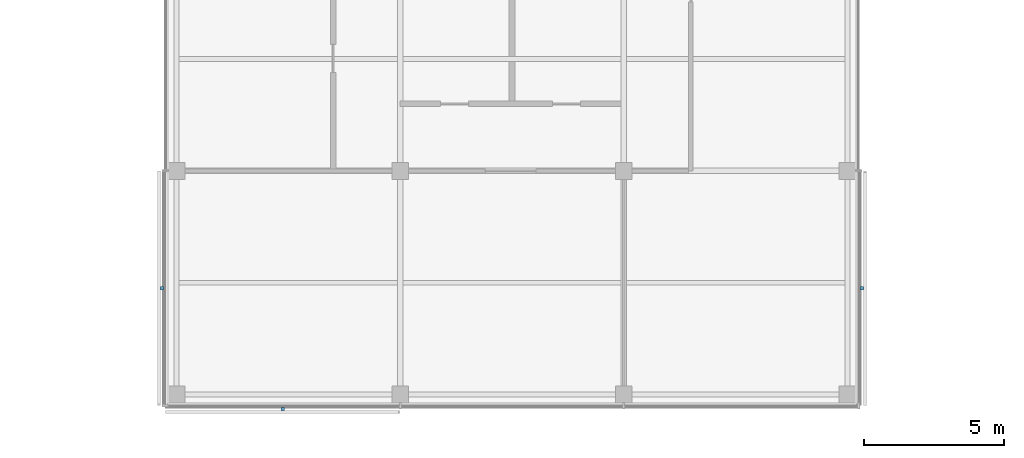
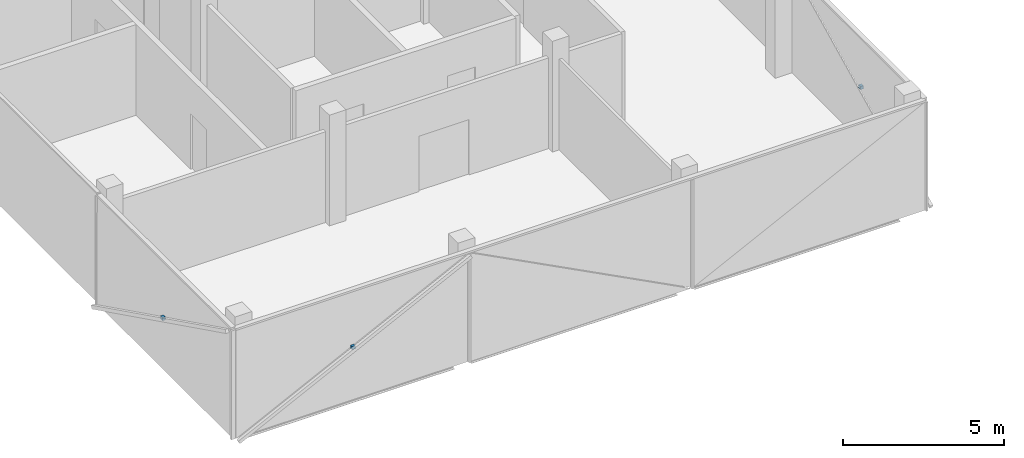
# One storey, part 13 of 15: 3 discrete accessories.
"""IFC4 building model written with IfcOpenShell, lengths in metres."""

from ifc_helpers import new_model, si_unit, direction, frame, origin, origin_2d, place, context, subcontext, project, spatial, rectangle, extrude, material, type_object, element, save


model = new_model("IFC4")

# Units and contexts
model_context = context("Model", 3, precision=1e-05, world=origin(), true_north=direction((0.0, 1.0)))
body_context = subcontext(model_context, "Body", "Model", "MODEL_VIEW")
ifc_project = project(units=[si_unit("LENGTHUNIT", "METRE"), si_unit("AREAUNIT", "SQUARE_METRE"), si_unit("VOLUMEUNIT", "CUBIC_METRE"), si_unit("PLANEANGLEUNIT", "RADIAN"), si_unit("MASSUNIT", "GRAM", prefix="KILO")], contexts=[model_context])

# Site, building, storey
site_placement = place(None, origin())
site = spatial("IfcSite", under=ifc_project, at=site_placement, CompositionType="ELEMENT")
building_placement = place(site_placement, origin())
building = spatial("IfcBuilding", under=site, at=building_placement, Name="Crosswind Convention Tower", CompositionType="ELEMENT")
storey_placement = place(building_placement, frame((0.0, 0.0, 319.699951171875)))
storey = spatial("IfcBuildingStorey", under=building, at=storey_placement, Name="L69", CompositionType="ELEMENT", Elevation=319.699951171875)

# Discrete accessories
ifc_material = material(Name="Stainless steel", Category="steel")
discrete_accessory_type = type_object("IfcDiscreteAccessoryType", Name="BAGUETTE BRACKET BK3", PredefinedType="BRACKET", material=ifc_material)
for number, where, z_axis, x_axis, name in (
    (1, (112.47412109375, 75.794921875, 1.705078125), (0.0, 0.0, 1.0), (0.0, -1.0, 0.0), "BK3 baguette bracket"),
    (2, (116.794921875, 71.47412109375, 1.705078125), (0.0, 0.0, 1.0), (1.0, 0.0, 0.0), "BK3 baguette bracket"),
    (3, (137.52587890625, 75.794921875, 1.705078125), (0.0, 0.0, 1.0), (0.0, 1.0, 0.0), "BK3 baguette bracket"),
):
    element("IfcDiscreteAccessory", number, at=place(storey_placement, frame(where, z_axis=z_axis, x_axis=x_axis)), inside=storey, type_object=discrete_accessory_type, Name=name, PredefinedType="BRACKET", context=body_context, shape_type="SweptSolid", body=[
        extrude(rectangle(XDim=0.1201171875, YDim=0.10009765625, at=origin_2d()), origin(), (0.0, 0.0, 1.0), 0.1201171875),
    ])

save(model, "model.ifc")
